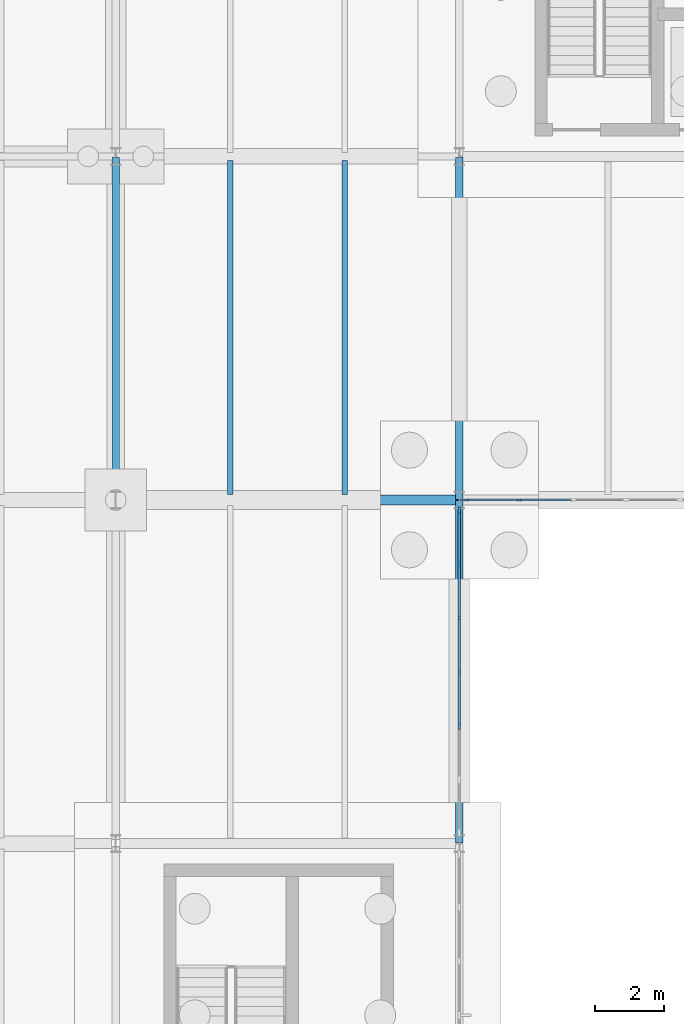
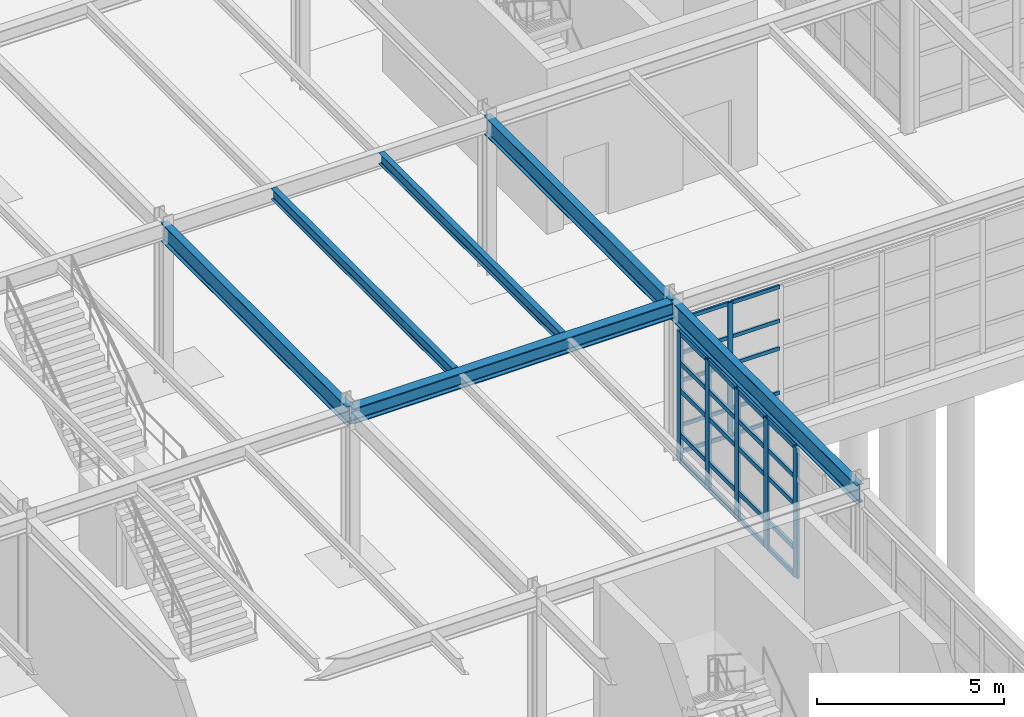
# One storey, part 57 of 145: 37 members, 6 beams, 2 elements without a shape of their own.
"""IFC4 building model written with IfcOpenShell, lengths in metres."""

from ifc_helpers import new_model, si_unit, direction, frame, origin, origin_2d, place, context, subcontext, project, spatial, rectangle, i_section, extrude, material, layer, layer_set, material_profile, profile_set, type_object, element, aggregate, save


model = new_model("IFC4")

# Units and contexts
model_context = context("Model", 3, precision=1e-05, world=origin(), true_north=direction((0.0, 1.0)))
body_context = subcontext(model_context, "Body", "Model", "MODEL_VIEW")
ifc_project = project(units=[si_unit("LENGTHUNIT", "METRE"), si_unit("AREAUNIT", "SQUARE_METRE"), si_unit("VOLUMEUNIT", "CUBIC_METRE"), si_unit("PLANEANGLEUNIT", "RADIAN"), si_unit("MASSUNIT", "GRAM", prefix="KILO"), si_unit("THERMODYNAMICTEMPERATUREUNIT", "KELVIN"), si_unit("POWERUNIT", "WATT")], contexts=[model_context])

# Site, building, storey
site_placement = place(None, origin())
site = spatial("IfcSite", under=ifc_project, at=site_placement, CompositionType="ELEMENT")
building_placement = place(site_placement, origin())
building = spatial("IfcBuilding", under=site, at=building_placement, Name="Korenveer Ferry Terminal", CompositionType="ELEMENT")
storey_placement = place(building_placement, origin())
storey = spatial("IfcBuildingStorey", under=building, at=storey_placement, Name="L00", CompositionType="ELEMENT", Elevation=0.0)

# Curtain wall, members
ifc_material_1 = material(Name="Unitised bronze-and-glass curtain wall", Category="glass")
ifc_layer_1 = layer(ifc_material_1, 0.159912109375)
ifc_layer_set_1 = layer_set([ifc_layer_1], Name="Unitised bronze-and-glass curtain wall")
curtain_wall_type_1 = type_object("IfcCurtainWallType", Name="ENV-CW-07", PredefinedType="USERDEFINED", material=ifc_layer_set_1)
curtain_wall_1_placement = place(storey_placement, frame((123.179931640625, 70.0, 0.0)))
curtain_wall_1 = element("IfcCurtainWall", 1, at=curtain_wall_1_placement, inside=storey, type_object=curtain_wall_type_1, Name="Lancet curtain wall CWX-L00-X123-136-Y70-70", ObjectType="UNITISED CURTAIN WALL", PredefinedType="USERDEFINED")
ifc_material_2 = material(Name="Anodised bronze aluminium", Category="aluminium")
ifc_material_profile_1 = material_profile(ifc_material_2, rectangle(XDim=0.06005859375, YDim=0.159912109375, at=origin_2d()), Name="ALU 60x160")
ifc_profile_set_1 = profile_set([ifc_material_profile_1], Name="Anodised bronze aluminium")
member_type_1 = type_object("IfcMemberType", Name="ENV-CWM-60X160", PredefinedType="MULLION", material=ifc_profile_set_1)
member_1_placement = place(storey_placement, frame((123.2099609375, 70.0, 0.0), z_axis=(0.0, 0.0, 1.0), x_axis=(0.0, 1.0, 0.0)))
member_1 = element("IfcMember", 2, at=member_1_placement, type_object=member_type_1, Name="CW-07 mullion 1", PredefinedType="MULLION", context=body_context, shape_type="SweptSolid", body=[
    extrude(rectangle(XDim=0.06005859375, YDim=0.159912109375, at=origin_2d()), origin(), (0.0, 0.0, 1.0), 4.389892578125),
])
member_2_placement = place(storey_placement, frame((124.7412109375, 70.0, 0.0), z_axis=(0.0, 0.0, 1.0), x_axis=(0.0, 1.0, 0.0)))
member_2 = element("IfcMember", 3, at=member_2_placement, type_object=member_type_1, Name="CW-07 mullion 2", PredefinedType="MULLION", context=body_context, shape_type="SweptSolid", body=[
    extrude(rectangle(XDim=0.06005859375, YDim=0.159912109375, at=origin_2d()), origin(), (0.0, 0.0, 1.0), 4.389892578125),
])

ifc_layer_2 = layer(ifc_material_1, 0.219970703125)
ifc_layer_set_2 = layer_set([ifc_layer_2], Name="Unitised bronze-and-glass curtain wall")
curtain_wall_type_2 = type_object("IfcCurtainWallType", Name="ENV-CW-27", PredefinedType="USERDEFINED", material=ifc_layer_set_2)
curtain_wall_2_placement = place(storey_placement, frame((123.0, 69.719970703125, 0.0)))
curtain_wall_2 = element("IfcCurtainWall", 4, at=curtain_wall_2_placement, inside=storey, type_object=curtain_wall_type_2, Name="Lancet curtain wall CWX-L00-X123-123-Y60-70", ObjectType="UNITISED CURTAIN WALL", PredefinedType="USERDEFINED")
ifc_material_profile_2 = material_profile(ifc_material_2, rectangle(XDim=0.074951171875, YDim=0.219970703125, at=origin_2d()), Name="ALU 75x220")
ifc_profile_set_2 = profile_set([ifc_material_profile_2], Name="Anodised bronze aluminium")
member_type_2 = type_object("IfcMemberType", Name="ENV-CWM-75X220", PredefinedType="MULLION", material=ifc_profile_set_2)
member_3_placement = place(storey_placement, frame((123.0, 69.6826171875, 0.0), z_axis=(0.0, 0.0, 1.0), x_axis=(1.0, 0.0, 0.0)))
member_3 = element("IfcMember", 5, at=member_3_placement, type_object=member_type_2, Name="CW-27 mullion 1", PredefinedType="MULLION", context=body_context, shape_type="SweptSolid", body=[
    extrude(rectangle(XDim=0.074951171875, YDim=0.219970703125, at=origin_2d()), origin(), (0.0, 0.0, 1.0), 4.25),
])
member_4_placement = place(storey_placement, frame((123.0, 68.146728515625, 0.0), z_axis=(0.0, 0.0, 1.0), x_axis=(1.0, 0.0, 0.0)))
member_4 = element("IfcMember", 6, at=member_4_placement, type_object=member_type_2, Name="CW-27 mullion 2", PredefinedType="MULLION", context=body_context, shape_type="SweptSolid", body=[
    extrude(rectangle(XDim=0.074951171875, YDim=0.219970703125, at=origin_2d()), origin(), (0.0, 0.0, 1.0), 4.25),
])
member_5_placement = place(storey_placement, frame((123.0, 66.5732421875, 0.0), z_axis=(0.0, 0.0, 1.0), x_axis=(1.0, 0.0, 0.0)))
member_5 = element("IfcMember", 7, at=member_5_placement, type_object=member_type_2, Name="CW-27 mullion 3", PredefinedType="MULLION", context=body_context, shape_type="SweptSolid", body=[
    extrude(rectangle(XDim=0.074951171875, YDim=0.219970703125, at=origin_2d()), origin(), (0.0, 0.0, 1.0), 4.25),
])
member_6_placement = place(storey_placement, frame((123.0, 65.0, 0.0), z_axis=(0.0, 0.0, 1.0), x_axis=(1.0, 0.0, 0.0)))
member_6 = element("IfcMember", 8, at=member_6_placement, type_object=member_type_2, Name="CW-27 mullion 4", PredefinedType="MULLION", context=body_context, shape_type="SweptSolid", body=[
    extrude(rectangle(XDim=0.074951171875, YDim=0.219970703125, at=origin_2d()), origin(), (0.0, 0.0, 1.0), 4.25),
])
member_7_placement = place(storey_placement, frame((123.0, 63.4267578125, 0.0), z_axis=(0.0, 0.0, 1.0), x_axis=(1.0, 0.0, 0.0)))
member_7 = element("IfcMember", 9, at=member_7_placement, type_object=member_type_2, Name="CW-27 mullion 5", PredefinedType="MULLION", context=body_context, shape_type="SweptSolid", body=[
    extrude(rectangle(XDim=0.074951171875, YDim=0.219970703125, at=origin_2d()), origin(), (0.0, 0.0, 1.0), 4.25),
])

# Member
ifc_material_profile_3 = material_profile(ifc_material_2, rectangle(XDim=0.06005859375, YDim=0.1201171875, at=origin_2d()), Name="ALU 60x120")
ifc_profile_set_3 = profile_set([ifc_material_profile_3], Name="Anodised bronze aluminium")
member_type_3 = type_object("IfcMemberType", Name="ENV-CWT-60X120", PredefinedType="USERDEFINED", material=ifc_profile_set_3)
member_8_placement = place(storey_placement, frame((123.239990234375, 70.0, 0.030029296875), z_axis=(1.0, 0.0, 0.0), x_axis=(0.0, 1.0, 0.0)))
member_8 = element("IfcMember", 10, at=member_8_placement, type_object=member_type_3, Name="CW-07 transom 1.1", ObjectType="TRANSOM", PredefinedType="USERDEFINED", context=body_context, shape_type="SweptSolid", body=[
    extrude(rectangle(XDim=0.06005859375, YDim=0.1201171875, at=origin_2d()), origin(), (0.0, 0.0, 1.0), 1.47119140625),
])

member_9_placement = place(storey_placement, frame((123.239990234375, 70.0, 0.89990234375), z_axis=(1.0, 0.0, 0.0), x_axis=(0.0, 1.0, 0.0)))
member_9 = element("IfcMember", 11, at=member_9_placement, type_object=member_type_3, Name="CW-07 transom 1.2", ObjectType="TRANSOM", PredefinedType="USERDEFINED", context=body_context, shape_type="SweptSolid", body=[
    extrude(rectangle(XDim=0.06005859375, YDim=0.1201171875, at=origin_2d()), origin(), (0.0, 0.0, 1.0), 1.47119140625),
])

member_10_placement = place(storey_placement, frame((123.239990234375, 70.0, 2.35009765625), z_axis=(1.0, 0.0, 0.0), x_axis=(0.0, 1.0, 0.0)))
member_10 = element("IfcMember", 12, at=member_10_placement, type_object=member_type_3, Name="CW-07 transom 1.3", ObjectType="TRANSOM", PredefinedType="USERDEFINED", context=body_context, shape_type="SweptSolid", body=[
    extrude(rectangle(XDim=0.06005859375, YDim=0.1201171875, at=origin_2d()), origin(), (0.0, 0.0, 1.0), 1.47119140625),
])

member_11_placement = place(storey_placement, frame((123.239990234375, 70.0, 3.25), z_axis=(1.0, 0.0, 0.0), x_axis=(0.0, 1.0, 0.0)))
member_11 = element("IfcMember", 13, at=member_11_placement, type_object=member_type_3, Name="CW-07 transom 1.4", ObjectType="TRANSOM", PredefinedType="USERDEFINED", context=body_context, shape_type="SweptSolid", body=[
    extrude(rectangle(XDim=0.06005859375, YDim=0.1201171875, at=origin_2d()), origin(), (0.0, 0.0, 1.0), 1.47119140625),
])

member_12_placement = place(storey_placement, frame((123.239990234375, 70.0, 4.360107421875), z_axis=(1.0, 0.0, 0.0), x_axis=(0.0, 1.0, 0.0)))
member_12 = element("IfcMember", 14, at=member_12_placement, type_object=member_type_3, Name="CW-07 transom 1.5", ObjectType="TRANSOM", PredefinedType="USERDEFINED", context=body_context, shape_type="SweptSolid", body=[
    extrude(rectangle(XDim=0.06005859375, YDim=0.1201171875, at=origin_2d()), origin(), (0.0, 0.0, 1.0), 1.47119140625),
])

member_13_placement = place(storey_placement, frame((124.771240234375, 70.0, 0.030029296875), z_axis=(1.0, 0.0, 0.0), x_axis=(0.0, 1.0, 0.0)))
member_13 = element("IfcMember", 15, at=member_13_placement, type_object=member_type_3, Name="CW-07 transom 2.1", ObjectType="TRANSOM", PredefinedType="USERDEFINED", context=body_context, shape_type="SweptSolid", body=[
    extrude(rectangle(XDim=0.06005859375, YDim=0.1201171875, at=origin_2d()), origin(), (0.0, 0.0, 1.0), 1.501220703125),
])

member_14_placement = place(storey_placement, frame((124.771240234375, 70.0, 0.89990234375), z_axis=(1.0, 0.0, 0.0), x_axis=(0.0, 1.0, 0.0)))
member_14 = element("IfcMember", 16, at=member_14_placement, type_object=member_type_3, Name="CW-07 transom 2.2", ObjectType="TRANSOM", PredefinedType="USERDEFINED", context=body_context, shape_type="SweptSolid", body=[
    extrude(rectangle(XDim=0.06005859375, YDim=0.1201171875, at=origin_2d()), origin(), (0.0, 0.0, 1.0), 1.501220703125),
])

member_15_placement = place(storey_placement, frame((124.771240234375, 70.0, 2.35009765625), z_axis=(1.0, 0.0, 0.0), x_axis=(0.0, 1.0, 0.0)))
member_15 = element("IfcMember", 17, at=member_15_placement, type_object=member_type_3, Name="CW-07 transom 2.3", ObjectType="TRANSOM", PredefinedType="USERDEFINED", context=body_context, shape_type="SweptSolid", body=[
    extrude(rectangle(XDim=0.06005859375, YDim=0.1201171875, at=origin_2d()), origin(), (0.0, 0.0, 1.0), 1.501220703125),
])

member_16_placement = place(storey_placement, frame((124.771240234375, 70.0, 3.25), z_axis=(1.0, 0.0, 0.0), x_axis=(0.0, 1.0, 0.0)))
member_16 = element("IfcMember", 18, at=member_16_placement, type_object=member_type_3, Name="CW-07 transom 2.4", ObjectType="TRANSOM", PredefinedType="USERDEFINED", context=body_context, shape_type="SweptSolid", body=[
    extrude(rectangle(XDim=0.06005859375, YDim=0.1201171875, at=origin_2d()), origin(), (0.0, 0.0, 1.0), 1.501220703125),
])

member_17_placement = place(storey_placement, frame((124.771240234375, 70.0, 4.360107421875), z_axis=(1.0, 0.0, 0.0), x_axis=(0.0, 1.0, 0.0)))
member_17 = element("IfcMember", 19, at=member_17_placement, type_object=member_type_3, Name="CW-07 transom 2.5", ObjectType="TRANSOM", PredefinedType="USERDEFINED", context=body_context, shape_type="SweptSolid", body=[
    extrude(rectangle(XDim=0.06005859375, YDim=0.1201171875, at=origin_2d()), origin(), (0.0, 0.0, 1.0), 1.501220703125),
])

aggregate(curtain_wall_1, [member_1, member_2, member_8, member_9, member_10, member_11, member_12, member_13, member_14, member_15, member_16, member_17])

ifc_material_profile_4 = material_profile(ifc_material_2, rectangle(XDim=0.074951171875, YDim=0.14990234375, at=origin_2d()), Name="ALU 75x150")
ifc_profile_set_4 = profile_set([ifc_material_profile_4], Name="Anodised bronze aluminium")
member_type_4 = type_object("IfcMemberType", Name="ENV-CWT-75X150", PredefinedType="USERDEFINED", material=ifc_profile_set_4)
member_18_placement = place(storey_placement, frame((123.0, 69.64501953125, 0.03759765625), z_axis=(0.0, -1.0, 0.0), x_axis=(1.0, 0.0, 0.0)))
member_18 = element("IfcMember", 20, at=member_18_placement, type_object=member_type_4, Name="CW-27 transom 1.1", ObjectType="TRANSOM", PredefinedType="USERDEFINED", context=body_context, shape_type="SweptSolid", body=[
    extrude(rectangle(XDim=0.074951171875, YDim=0.14990234375, at=origin_2d()), origin(), (0.0, 0.0, 1.0), 1.4609375),
])

member_19_placement = place(storey_placement, frame((123.0, 69.64501953125, 0.89990234375), z_axis=(0.0, -1.0, 0.0), x_axis=(1.0, 0.0, 0.0)))
member_19 = element("IfcMember", 21, at=member_19_placement, type_object=member_type_4, Name="CW-27 transom 1.2", ObjectType="TRANSOM", PredefinedType="USERDEFINED", context=body_context, shape_type="SweptSolid", body=[
    extrude(rectangle(XDim=0.074951171875, YDim=0.14990234375, at=origin_2d()), origin(), (0.0, 0.0, 1.0), 1.4609375),
])

member_20_placement = place(storey_placement, frame((123.0, 69.64501953125, 2.35009765625), z_axis=(0.0, -1.0, 0.0), x_axis=(1.0, 0.0, 0.0)))
member_20 = element("IfcMember", 22, at=member_20_placement, type_object=member_type_4, Name="CW-27 transom 1.3", ObjectType="TRANSOM", PredefinedType="USERDEFINED", context=body_context, shape_type="SweptSolid", body=[
    extrude(rectangle(XDim=0.074951171875, YDim=0.14990234375, at=origin_2d()), origin(), (0.0, 0.0, 1.0), 1.4609375),
])

member_21_placement = place(storey_placement, frame((123.0, 69.64501953125, 3.25), z_axis=(0.0, -1.0, 0.0), x_axis=(1.0, 0.0, 0.0)))
member_21 = element("IfcMember", 23, at=member_21_placement, type_object=member_type_4, Name="CW-27 transom 1.4", ObjectType="TRANSOM", PredefinedType="USERDEFINED", context=body_context, shape_type="SweptSolid", body=[
    extrude(rectangle(XDim=0.074951171875, YDim=0.14990234375, at=origin_2d()), origin(), (0.0, 0.0, 1.0), 1.4609375),
])

member_22_placement = place(storey_placement, frame((123.0, 69.64501953125, 4.21240234375), z_axis=(0.0, -1.0, 0.0), x_axis=(1.0, 0.0, 0.0)))
member_22 = element("IfcMember", 24, at=member_22_placement, type_object=member_type_4, Name="CW-27 transom 1.5", ObjectType="TRANSOM", PredefinedType="USERDEFINED", context=body_context, shape_type="SweptSolid", body=[
    extrude(rectangle(XDim=0.074951171875, YDim=0.14990234375, at=origin_2d()), origin(), (0.0, 0.0, 1.0), 1.4609375),
])

member_23_placement = place(storey_placement, frame((123.0, 68.109130859375, 0.03759765625), z_axis=(0.0, -1.0, 0.0), x_axis=(1.0, 0.0, 0.0)))
member_23 = element("IfcMember", 25, at=member_23_placement, type_object=member_type_4, Name="CW-27 transom 2.1", ObjectType="TRANSOM", PredefinedType="USERDEFINED", context=body_context, shape_type="SweptSolid", body=[
    extrude(rectangle(XDim=0.074951171875, YDim=0.14990234375, at=origin_2d()), origin(), (0.0, 0.0, 1.0), 1.498291015625),
])

member_24_placement = place(storey_placement, frame((123.0, 68.109130859375, 0.89990234375), z_axis=(0.0, -1.0, 0.0), x_axis=(1.0, 0.0, 0.0)))
member_24 = element("IfcMember", 26, at=member_24_placement, type_object=member_type_4, Name="CW-27 transom 2.2", ObjectType="TRANSOM", PredefinedType="USERDEFINED", context=body_context, shape_type="SweptSolid", body=[
    extrude(rectangle(XDim=0.074951171875, YDim=0.14990234375, at=origin_2d()), origin(), (0.0, 0.0, 1.0), 1.498291015625),
])

member_25_placement = place(storey_placement, frame((123.0, 68.109130859375, 2.35009765625), z_axis=(0.0, -1.0, 0.0), x_axis=(1.0, 0.0, 0.0)))
member_25 = element("IfcMember", 27, at=member_25_placement, type_object=member_type_4, Name="CW-27 transom 2.3", ObjectType="TRANSOM", PredefinedType="USERDEFINED", context=body_context, shape_type="SweptSolid", body=[
    extrude(rectangle(XDim=0.074951171875, YDim=0.14990234375, at=origin_2d()), origin(), (0.0, 0.0, 1.0), 1.498291015625),
])

member_26_placement = place(storey_placement, frame((123.0, 68.109130859375, 3.25), z_axis=(0.0, -1.0, 0.0), x_axis=(1.0, 0.0, 0.0)))
member_26 = element("IfcMember", 28, at=member_26_placement, type_object=member_type_4, Name="CW-27 transom 2.4", ObjectType="TRANSOM", PredefinedType="USERDEFINED", context=body_context, shape_type="SweptSolid", body=[
    extrude(rectangle(XDim=0.074951171875, YDim=0.14990234375, at=origin_2d()), origin(), (0.0, 0.0, 1.0), 1.498291015625),
])

member_27_placement = place(storey_placement, frame((123.0, 68.109130859375, 4.21240234375), z_axis=(0.0, -1.0, 0.0), x_axis=(1.0, 0.0, 0.0)))
member_27 = element("IfcMember", 29, at=member_27_placement, type_object=member_type_4, Name="CW-27 transom 2.5", ObjectType="TRANSOM", PredefinedType="USERDEFINED", context=body_context, shape_type="SweptSolid", body=[
    extrude(rectangle(XDim=0.074951171875, YDim=0.14990234375, at=origin_2d()), origin(), (0.0, 0.0, 1.0), 1.498291015625),
])

member_28_placement = place(storey_placement, frame((123.0, 66.535888671875, 0.03759765625), z_axis=(0.0, -1.0, 0.0), x_axis=(1.0, 0.0, 0.0)))
member_28 = element("IfcMember", 30, at=member_28_placement, type_object=member_type_4, Name="CW-27 transom 3.1", ObjectType="TRANSOM", PredefinedType="USERDEFINED", context=body_context, shape_type="SweptSolid", body=[
    extrude(rectangle(XDim=0.074951171875, YDim=0.14990234375, at=origin_2d()), origin(), (0.0, 0.0, 1.0), 1.498291015625),
])

member_29_placement = place(storey_placement, frame((123.0, 66.535888671875, 0.89990234375), z_axis=(0.0, -1.0, 0.0), x_axis=(1.0, 0.0, 0.0)))
member_29 = element("IfcMember", 31, at=member_29_placement, type_object=member_type_4, Name="CW-27 transom 3.2", ObjectType="TRANSOM", PredefinedType="USERDEFINED", context=body_context, shape_type="SweptSolid", body=[
    extrude(rectangle(XDim=0.074951171875, YDim=0.14990234375, at=origin_2d()), origin(), (0.0, 0.0, 1.0), 1.498291015625),
])

member_30_placement = place(storey_placement, frame((123.0, 66.535888671875, 2.35009765625), z_axis=(0.0, -1.0, 0.0), x_axis=(1.0, 0.0, 0.0)))
member_30 = element("IfcMember", 32, at=member_30_placement, type_object=member_type_4, Name="CW-27 transom 3.3", ObjectType="TRANSOM", PredefinedType="USERDEFINED", context=body_context, shape_type="SweptSolid", body=[
    extrude(rectangle(XDim=0.074951171875, YDim=0.14990234375, at=origin_2d()), origin(), (0.0, 0.0, 1.0), 1.498291015625),
])

member_31_placement = place(storey_placement, frame((123.0, 66.535888671875, 3.25), z_axis=(0.0, -1.0, 0.0), x_axis=(1.0, 0.0, 0.0)))
member_31 = element("IfcMember", 33, at=member_31_placement, type_object=member_type_4, Name="CW-27 transom 3.4", ObjectType="TRANSOM", PredefinedType="USERDEFINED", context=body_context, shape_type="SweptSolid", body=[
    extrude(rectangle(XDim=0.074951171875, YDim=0.14990234375, at=origin_2d()), origin(), (0.0, 0.0, 1.0), 1.498291015625),
])

member_32_placement = place(storey_placement, frame((123.0, 66.535888671875, 4.21240234375), z_axis=(0.0, -1.0, 0.0), x_axis=(1.0, 0.0, 0.0)))
member_32 = element("IfcMember", 34, at=member_32_placement, type_object=member_type_4, Name="CW-27 transom 3.5", ObjectType="TRANSOM", PredefinedType="USERDEFINED", context=body_context, shape_type="SweptSolid", body=[
    extrude(rectangle(XDim=0.074951171875, YDim=0.14990234375, at=origin_2d()), origin(), (0.0, 0.0, 1.0), 1.498291015625),
])

member_33_placement = place(storey_placement, frame((123.0, 64.96240234375, 0.03759765625), z_axis=(0.0, -1.0, 0.0), x_axis=(1.0, 0.0, 0.0)))
member_33 = element("IfcMember", 35, at=member_33_placement, type_object=member_type_4, Name="CW-27 transom 4.1", ObjectType="TRANSOM", PredefinedType="USERDEFINED", context=body_context, shape_type="SweptSolid", body=[
    extrude(rectangle(XDim=0.074951171875, YDim=0.14990234375, at=origin_2d()), origin(), (0.0, 0.0, 1.0), 1.498291015625),
])

member_34_placement = place(storey_placement, frame((123.0, 64.96240234375, 0.89990234375), z_axis=(0.0, -1.0, 0.0), x_axis=(1.0, 0.0, 0.0)))
member_34 = element("IfcMember", 36, at=member_34_placement, type_object=member_type_4, Name="CW-27 transom 4.2", ObjectType="TRANSOM", PredefinedType="USERDEFINED", context=body_context, shape_type="SweptSolid", body=[
    extrude(rectangle(XDim=0.074951171875, YDim=0.14990234375, at=origin_2d()), origin(), (0.0, 0.0, 1.0), 1.498291015625),
])

member_35_placement = place(storey_placement, frame((123.0, 64.96240234375, 2.35009765625), z_axis=(0.0, -1.0, 0.0), x_axis=(1.0, 0.0, 0.0)))
member_35 = element("IfcMember", 37, at=member_35_placement, type_object=member_type_4, Name="CW-27 transom 4.3", ObjectType="TRANSOM", PredefinedType="USERDEFINED", context=body_context, shape_type="SweptSolid", body=[
    extrude(rectangle(XDim=0.074951171875, YDim=0.14990234375, at=origin_2d()), origin(), (0.0, 0.0, 1.0), 1.498291015625),
])

member_36_placement = place(storey_placement, frame((123.0, 64.96240234375, 3.25), z_axis=(0.0, -1.0, 0.0), x_axis=(1.0, 0.0, 0.0)))
member_36 = element("IfcMember", 38, at=member_36_placement, type_object=member_type_4, Name="CW-27 transom 4.4", ObjectType="TRANSOM", PredefinedType="USERDEFINED", context=body_context, shape_type="SweptSolid", body=[
    extrude(rectangle(XDim=0.074951171875, YDim=0.14990234375, at=origin_2d()), origin(), (0.0, 0.0, 1.0), 1.498291015625),
])

member_37_placement = place(storey_placement, frame((123.0, 64.96240234375, 4.21240234375), z_axis=(0.0, -1.0, 0.0), x_axis=(1.0, 0.0, 0.0)))
member_37 = element("IfcMember", 39, at=member_37_placement, type_object=member_type_4, Name="CW-27 transom 4.5", ObjectType="TRANSOM", PredefinedType="USERDEFINED", context=body_context, shape_type="SweptSolid", body=[
    extrude(rectangle(XDim=0.074951171875, YDim=0.14990234375, at=origin_2d()), origin(), (0.0, 0.0, 1.0), 1.498291015625),
])

aggregate(curtain_wall_2, [member_3, member_4, member_5, member_6, member_7, member_18, member_19, member_20, member_21, member_22, member_23, member_24, member_25, member_26, member_27, member_28, member_29, member_30, member_31, member_32, member_33, member_34, member_35, member_36, member_37])

# Beams
ifc_material_3 = material(Name="Steel S355", Category="steel")
ifc_material_profile_5 = material_profile(ifc_material_3, i_section(OverallWidth=0.300048828125, OverallDepth=0.5, WebThickness=0.014404296875, FlangeThickness=0.028076171875, FilletRadius=0.027099609375, at=origin_2d()), Name="HEB 500")
ifc_profile_set_5 = profile_set([ifc_material_profile_5], Name="Steel S355")
beam_type_1 = type_object("IfcBeamType", Name="STR-BM-HEB500", PredefinedType="BEAM", material=ifc_profile_set_5)
beam_placement = place(storey_placement, frame((113.02001953125, 70.0, 4.830078125), z_axis=(1.0, 0.0, 0.0), x_axis=(0.0, 1.0, 0.0)))
element("IfcBeam", 40, at=beam_placement, inside=storey, type_object=beam_type_1, Name="Primary X girder BMX-L01-X113-123-Y70", PredefinedType="BEAM", context=body_context, shape_type="SweptSolid", body=[
    extrude(i_section(OverallWidth=0.300048828125, OverallDepth=0.5, WebThickness=0.014404296875, FlangeThickness=0.028076171875, FilletRadius=0.027099609375, at=origin_2d()), origin(), (0.0, 0.0, 1.0), 9.9599609375),
])
ifc_material_profile_6 = material_profile(ifc_material_3, i_section(OverallWidth=0.219970703125, OverallDepth=0.60009765625, WebThickness=0.011962890625, FlangeThickness=0.01904296875, FilletRadius=0.02392578125, at=origin_2d()), Name="IPE 600")
ifc_profile_set_6 = profile_set([ifc_material_profile_6], Name="Steel S355")
beam_type_2 = type_object("IfcBeamType", Name="STR-BM-IPE600", PredefinedType="BEAM", material=ifc_profile_set_6)
for number, where, z_axis, x_axis, name in (
    (41, (113.0, 70.02001953125, 4.780029296875), (0.0, 1.0, 0.0), (-1.0, 0.0, 0.0), "Primary Y girder BMY-L01-X113-Y70-80"),
    (42, (123.0, 60.02001953125, 4.780029296875), (0.0, 1.0, 0.0), (-1.0, 0.0, 0.0), "Primary Y girder BMY-L01-X123-Y60-70"),
    (43, (123.0, 70.02001953125, 4.780029296875), (0.0, 1.0, 0.0), (-1.0, 0.0, 0.0), "Primary Y girder BMY-L01-X123-Y70-80"),
):
    element("IfcBeam", number, at=place(storey_placement, frame(where, z_axis=z_axis, x_axis=x_axis)), inside=storey, type_object=beam_type_2, Name=name, PredefinedType="BEAM", context=body_context, shape_type="SweptSolid", body=[
        extrude(i_section(OverallWidth=0.219970703125, OverallDepth=0.60009765625, WebThickness=0.011962890625, FlangeThickness=0.01904296875, FilletRadius=0.02392578125, at=origin_2d()), origin(), (0.0, 0.0, 1.0), 9.9599609375),
    ])
ifc_material_profile_7 = material_profile(ifc_material_3, i_section(OverallWidth=0.169921875, OverallDepth=0.360107421875, WebThickness=0.008056640625, FlangeThickness=0.0126953125, FilletRadius=0.01806640625, at=origin_2d()), Name="IPE 360")
ifc_profile_set_7 = profile_set([ifc_material_profile_7], Name="Steel S355")
beam_type_3 = type_object("IfcBeamType", Name="STR-JST-IPE360", PredefinedType="JOIST", material=ifc_profile_set_7)
for number, where, z_axis, x_axis, name in (
    (44, (116.333251953125, 70.159912109375, 4.89990234375), (0.0, 1.0, 0.0), (-1.0, 0.0, 0.0), "Secondary composite joist JST-L01-X1163-Y70-80"),
    (45, (119.666748046875, 70.159912109375, 4.89990234375), (0.0, 1.0, 0.0), (-1.0, 0.0, 0.0), "Secondary composite joist JST-L01-X1197-Y70-80"),
):
    element("IfcBeam", number, at=place(storey_placement, frame(where, z_axis=z_axis, x_axis=x_axis)), inside=storey, type_object=beam_type_3, Name=name, PredefinedType="JOIST", context=body_context, shape_type="SweptSolid", body=[
        extrude(i_section(OverallWidth=0.169921875, OverallDepth=0.360107421875, WebThickness=0.008056640625, FlangeThickness=0.0126953125, FilletRadius=0.01806640625, at=origin_2d()), origin(), (0.0, 0.0, 1.0), 9.72509765625),
    ])

save(model, "model.ifc")
